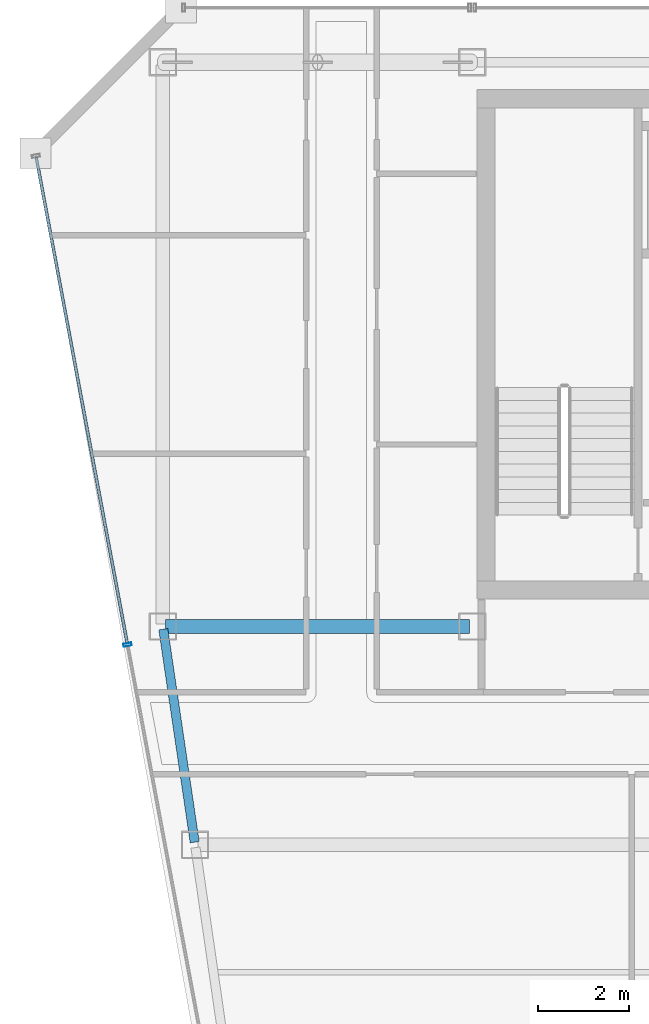
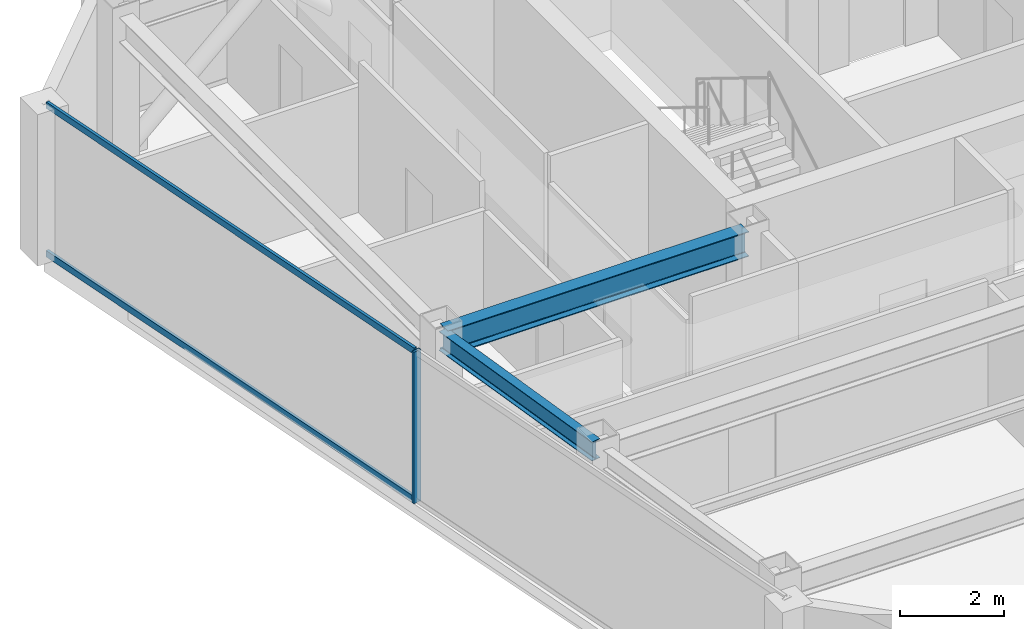
# One storey, part 6 of 25: 3 members, 2 beams, 1 element without a shape of its own.
"""IFC4 building model written with IfcOpenShell, lengths in metres."""

from ifc_helpers import new_model, si_unit, direction, frame, origin, origin_2d, place, context, subcontext, project, spatial, hollow_rectangle, i_section, extrude, material, material_profile, profile_set, type_object, element, aggregate, save


model = new_model("IFC4")

# Units and contexts
model_context = context("Model", 3, precision=1e-05, world=origin(), true_north=direction((0.0, 1.0)))
body_context = subcontext(model_context, "Body", "Model", "MODEL_VIEW")
ifc_project = project(units=[si_unit("LENGTHUNIT", "METRE"), si_unit("AREAUNIT", "SQUARE_METRE"), si_unit("VOLUMEUNIT", "CUBIC_METRE"), si_unit("PLANEANGLEUNIT", "RADIAN"), si_unit("MASSUNIT", "GRAM", prefix="KILO")], contexts=[model_context])

# Site, building, storey
site_placement = place(None, origin())
site = spatial("IfcSite", under=ifc_project, at=site_placement, CompositionType="ELEMENT")
building_placement = place(site_placement, origin())
building = spatial("IfcBuilding", under=site, at=building_placement, Name="Saevonmaru Cultural Tower", CompositionType="ELEMENT")
storey_placement = place(building_placement, frame((0.0, 0.0, 276.199951171875)))
storey = spatial("IfcBuildingStorey", under=building, at=storey_placement, Name="L65", CompositionType="ELEMENT", Elevation=276.199951171875)

# Beams
ifc_material_1 = material(Name="Steel SM355", Category="steel")
ifc_material_profile_1 = material_profile(ifc_material_1, i_section(OverallWidth=0.300048828125, OverallDepth=0.587890625, WebThickness=0.011962890625, FlangeThickness=0.02001953125, FilletRadius=0.02392578125, at=origin_2d()), Name="H-588x300x12x20")
ifc_profile_set_1 = profile_set([ifc_material_profile_1], Name="Steel SM355")
beam_type_1 = type_object("IfcBeamType", Name="BM-G-H588", PredefinedType="BEAM", material=ifc_profile_set_1)
beam_1_placement = place(storey_placement, frame((6.860107421875, 42.39990234375, 3.256103515625), z_axis=(1.0, 0.0, 0.0), x_axis=(0.0, 1.0, 0.0)))
element("IfcBeam", 1, at=beam_1_placement, inside=storey, type_object=beam_type_1, Name="L65 Core South Girder 1", PredefinedType="BEAM", context=body_context, shape_type="SweptSolid", body=[
    extrude(i_section(OverallWidth=0.300048828125, OverallDepth=0.587890625, WebThickness=0.011962890625, FlangeThickness=0.02001953125, FilletRadius=0.02392578125, at=origin_2d()), origin(), (0.0, 0.0, 1.0), 6.679931640625),
])
ifc_material_profile_2 = material_profile(ifc_material_1, i_section(OverallWidth=0.199951171875, OverallDepth=0.449951171875, WebThickness=0.009033203125, FlangeThickness=0.013916015625, FilletRadius=0.01806640625, at=origin_2d()), Name="H-450x200x9x14")
ifc_profile_set_2 = profile_set([ifc_material_profile_2], Name="Steel SM355")
beam_type_2 = type_object("IfcBeamType", Name="BM-SP-H450", PredefinedType="SPANDREL", material=ifc_profile_set_2)
beam_2_placement = place(storey_placement, frame((7.499267578125, 37.659423828125, 3.324951171875), z_axis=(-0.145912860028, 0.989297446312, 0.0), x_axis=(-0.989297446312, -0.145912860028, 0.0)))
element("IfcBeam", 2, at=beam_2_placement, inside=storey, type_object=beam_type_2, Name="L65 West Splayed Spandrel 2", PredefinedType="SPANDREL", context=body_context, shape_type="SweptSolid", body=[
    extrude(i_section(OverallWidth=0.199951171875, OverallDepth=0.449951171875, WebThickness=0.009033203125, FlangeThickness=0.013916015625, FilletRadius=0.01806640625, at=origin_2d()), origin(), (0.0, 0.0, 1.0), 4.731689453125),
])

# Curtain wall, members
ifc_material_2 = material(Name="Satin Bronze Anodised Aluminium", Category="aluminium")
curtain_wall_type = type_object("IfcCurtainWallType", Name="CW-TYP-B", PredefinedType="NOTDEFINED", material=ifc_material_2)
curtain_wall_placement = place(storey_placement, origin())
curtain_wall = element("IfcCurtainWall", 3, at=curtain_wall_placement, inside=storey, type_object=curtain_wall_type, Name="L65 Unitised Curtain Wall E12", PredefinedType="NOTDEFINED")
ifc_material_profile_3 = material_profile(ifc_material_2, hollow_rectangle(XDim=0.06494140625, YDim=0.179931640625, WallThickness=0.00390625, at=origin_2d()), Name="ALU-MULL-180x65x4")
ifc_profile_set_3 = profile_set([ifc_material_profile_3], Name="Satin Bronze Anodised Aluminium")
member_type_1 = type_object("IfcMemberType", Name="ML-CW-180x65", PredefinedType="MULLION", material=ifc_profile_set_3)
member_1_placement = place(storey_placement, frame((6.022216796875, 42.0, 0.0), z_axis=(0.0, 0.0, 1.0), x_axis=(0.184046528232, -0.982917532373, 0.0)))
member_1 = element("IfcMember", 4, at=member_1_placement, type_object=member_type_1, Name="CW-TW-L65-E12 mullion 2", PredefinedType="MULLION", context=body_context, shape_type="SweptSolid", body=[
    extrude(hollow_rectangle(XDim=0.06494140625, YDim=0.179931640625, WallThickness=0.00390625, at=origin_2d()), origin(), (0.0, 0.0, 1.0), 3.550048828125),
])
ifc_material_profile_4 = material_profile(ifc_material_2, hollow_rectangle(XDim=0.06494140625, YDim=0.14990234375, WallThickness=0.00390625, at=origin_2d()), Name="ALU-TRAN-150x65x4")
ifc_profile_set_4 = profile_set([ifc_material_profile_4], Name="Satin Bronze Anodised Aluminium")
member_type_2 = type_object("IfcMemberType", Name="TR-CW-150x65", PredefinedType="USERDEFINED", material=ifc_profile_set_4)
member_2_placement = place(storey_placement, frame((4.01708984375, 52.708984375, 0.032470703125), z_axis=(0.184029339557, -0.982920750713, 0.0), x_axis=(0.982920750713, 0.184029339557, 0.0)))
member_2 = element("IfcMember", 5, at=member_2_placement, type_object=member_type_2, Name="CW-TW-L65-E12 transom 1.1", ObjectType="TRANSOM", PredefinedType="USERDEFINED", context=body_context, shape_type="SweptSolid", body=[
    extrude(hollow_rectangle(XDim=0.06494140625, YDim=0.14990234375, WallThickness=0.00390625, at=origin_2d()), origin(), (0.0, 0.0, 1.0), 10.862548828125),
])
member_3_placement = place(storey_placement, frame((4.01708984375, 52.708984375, 3.517578125), z_axis=(0.184029339557, -0.982920750713, 0.0), x_axis=(0.982920750713, 0.184029339557, 0.0)))
member_3 = element("IfcMember", 6, at=member_3_placement, type_object=member_type_2, Name="CW-TW-L65-E12 transom 1.2", ObjectType="TRANSOM", PredefinedType="USERDEFINED", context=body_context, shape_type="SweptSolid", body=[
    extrude(hollow_rectangle(XDim=0.06494140625, YDim=0.14990234375, WallThickness=0.00390625, at=origin_2d()), origin(), (0.0, 0.0, 1.0), 10.862548828125),
])
aggregate(curtain_wall, [member_1, member_2, member_3])

save(model, "model.ifc")
